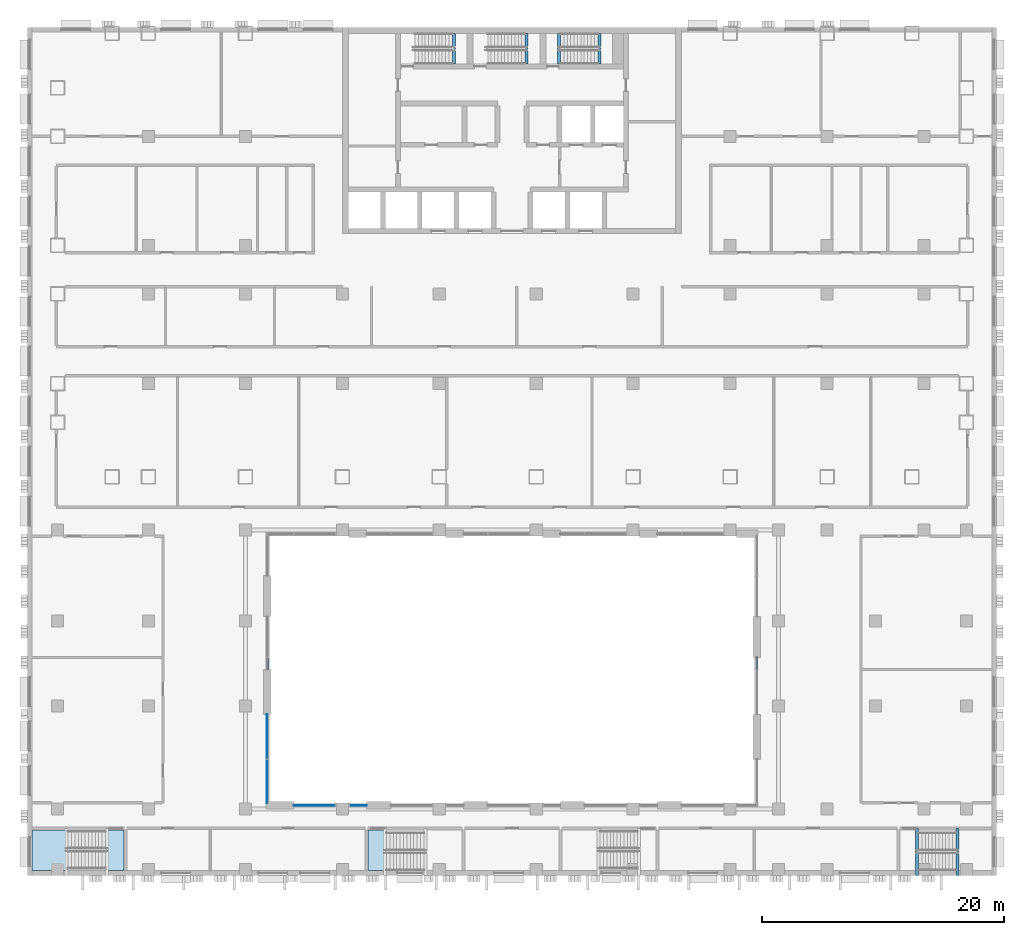
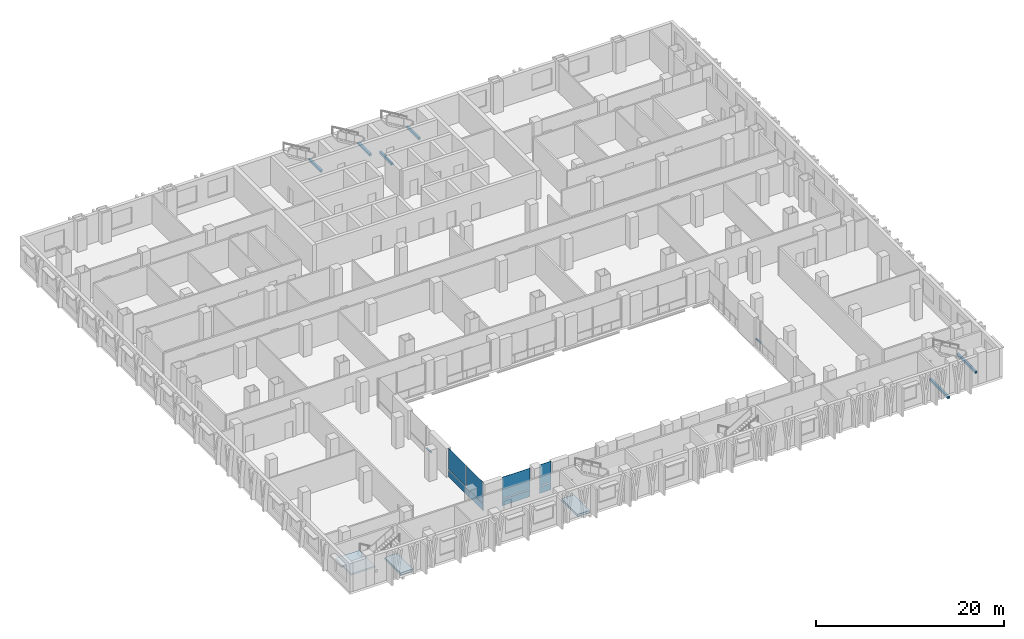
# One storey, part 5 of 26: 8 plates, 6 beams, 3 slabs, 2 members, 6 elements without a shape of their own.
"""IFC4 building model written with IfcOpenShell, lengths in metres."""

from ifc_helpers import new_model, si_unit, direction, frame, origin, origin_2d, place, context, subcontext, project, spatial, polyline, rectangle, outline, extrude, material, layer, layer_set, material_profile, profile_set, type_object, element, aggregate, save


model = new_model("IFC4")

# Units and contexts
model_context = context("Model", 3, precision=1e-05, world=origin(), true_north=direction((0.0, 1.0)))
body_context = subcontext(model_context, "Body", "Model", "MODEL_VIEW")
ifc_project = project(units=[si_unit("LENGTHUNIT", "METRE"), si_unit("AREAUNIT", "SQUARE_METRE"), si_unit("VOLUMEUNIT", "CUBIC_METRE"), si_unit("PLANEANGLEUNIT", "RADIAN"), si_unit("MASSUNIT", "GRAM", prefix="KILO")], contexts=[model_context])

# Site, building, storey
site_placement = place(None, origin())
site = spatial("IfcSite", under=ifc_project, at=site_placement, CompositionType="ELEMENT")
building_placement = place(site_placement, origin())
building = spatial("IfcBuilding", under=site, at=building_placement, Name="Vidyagriha Tower", CompositionType="ELEMENT")
storey_placement = place(building_placement, frame((0.0, 0.0, 6.0)))
storey = spatial("IfcBuildingStorey", under=building, at=storey_placement, Name="L01", CompositionType="ELEMENT", Elevation=6.0)

# Beams
ifc_material_1 = material(Name="Concrete C40/50", Category="concrete")
ifc_material_profile_1 = material_profile(ifc_material_1, rectangle(XDim=0.25, YDim=0.300048828125, at=origin_2d()), Name="Stair landing bearing beam 250x300")
ifc_profile_set_1 = profile_set([ifc_material_profile_1], Name="Concrete C40/50")
beam_type = type_object("IfcBeamType", Name="Stair landing bearing beam 250x300", PredefinedType="BEAM", material=ifc_profile_set_1)
for number, where, z_axis, x_axis, name in (
    (1, (3.875, 16.949951171875, -0.449951171875), (0.0, 1.0, 0.0), (-1.0, 0.0, 0.0), "ST3 floor landing bearing beam L01"),
    (2, (-4.794921875, 16.949951171875, 1.64990234375), (0.0, 1.0, 0.0), (-1.0, 0.0, 0.0), "ST1 landing bearing beam L01"),
    (3, (1.205078125, 16.949951171875, 1.64990234375), (0.0, 1.0, 0.0), (-1.0, 0.0, 0.0), "ST2 landing bearing beam L01"),
    (4, (7.205078125, 16.949951171875, 1.64990234375), (0.0, 1.0, 0.0), (-1.0, 0.0, 0.0), "ST3 landing bearing beam L01"),
):
    element("IfcBeam", number, at=place(storey_placement, frame(where, z_axis=z_axis, x_axis=x_axis)), inside=storey, type_object=beam_type, Name=name, PredefinedType="BEAM", context=body_context, shape_type="SweptSolid", body=[
        extrude(rectangle(XDim=0.25, YDim=0.300048828125, at=origin_2d()), origin(), (0.0, 0.0, 1.0), 2.550048828125),
    ])
for number, where, z_axis, x_axis, name in (
    (5, (33.419921875, -50.0, -0.449951171875), (0.0, 1.0, 0.0), (-1.0, 0.0, 0.0), "PS2 floor landing bearing beam L01"),
    (6, (36.760009765625, -50.0, 1.64990234375), (0.0, 1.0, 0.0), (-1.0, 0.0, 0.0), "PS2 landing bearing beam L01"),
):
    element("IfcBeam", number, at=place(storey_placement, frame(where, z_axis=z_axis, x_axis=x_axis)), inside=storey, type_object=beam_type, Name=name, PredefinedType="BEAM", context=body_context, shape_type="SweptSolid", body=[
        extrude(rectangle(XDim=0.25, YDim=0.300048828125, at=origin_2d()), origin(), (0.0, 0.0, 1.0), 3.89990234375),
    ])

# Curtain wall, member
ifc_material_2 = material(Name="Aluminium and glass curtain wall", Category="aluminium")
curtain_wall_type = type_object("IfcCurtainWallType", Name="Atrium screen curtain wall", PredefinedType="USERDEFINED", material=ifc_material_2)
curtain_wall_1_placement = place(storey_placement, origin())
curtain_wall_1 = element("IfcCurtainWall", 7, at=curtain_wall_1_placement, inside=storey, type_object=curtain_wall_type, Name="CW6 atrium screen", ObjectType="UNITISED", PredefinedType="USERDEFINED")
ifc_material_3 = material(Name="Aluminium black anodised", Category="aluminium")
ifc_material_profile_2 = material_profile(ifc_material_3, rectangle(XDim=0.159912109375, YDim=0.10009765625, at=origin_2d()), Name="Transom 100x160 black aluminium")
ifc_profile_set_2 = profile_set([ifc_material_profile_2], Name="Aluminium black anodised")
member_type = type_object("IfcMemberType", Name="Transom 100x160 black aluminium", PredefinedType="USERDEFINED", material=ifc_profile_set_2)
member_1_placement = place(storey_placement, frame((-20.199951171875, -33.0, 0.89990234375), z_axis=(0.0, 1.0, 0.0), x_axis=(-1.0, 0.0, 0.0)))
member_1 = element("IfcMember", 8, at=member_1_placement, type_object=member_type, Name="CW6 transom 1.1", ObjectType="TRANSOM", PredefinedType="USERDEFINED", context=body_context, shape_type="SweptSolid", body=[
    extrude(rectangle(XDim=0.159912109375, YDim=0.10009765625, at=origin_2d()), origin(), (0.0, 0.0, 1.0), 0.965087890625),
])
aggregate(curtain_wall_1, [member_1])

curtain_wall_2_placement = place(storey_placement, origin())
curtain_wall_2 = element("IfcCurtainWall", 9, at=curtain_wall_2_placement, inside=storey, type_object=curtain_wall_type, Name="CW6 atrium screen", ObjectType="UNITISED", PredefinedType="USERDEFINED")
member_2_placement = place(storey_placement, frame((20.199951171875, -32.0, 0.89990234375), z_axis=(0.0, -1.0, 0.0), x_axis=(1.0, 0.0, 0.0)))
member_2 = element("IfcMember", 10, at=member_2_placement, type_object=member_type, Name="CW6 transom 1.1", ObjectType="TRANSOM", PredefinedType="USERDEFINED", context=body_context, shape_type="SweptSolid", body=[
    extrude(rectangle(XDim=0.159912109375, YDim=0.10009765625, at=origin_2d()), origin(), (0.0, 0.0, 1.0), 0.965087890625),
])
aggregate(curtain_wall_2, [member_2])

# Curtain wall, plate
curtain_wall_3_placement = place(storey_placement, origin())
curtain_wall_3 = element("IfcCurtainWall", 11, at=curtain_wall_3_placement, inside=storey, type_object=curtain_wall_type, Name="CW6 atrium screen", ObjectType="UNITISED", PredefinedType="USERDEFINED")
ifc_material_4 = material(Name="Glass dark ceramic-fritted spandrel", Category="glass")
ifc_layer_1 = layer(ifc_material_4, 0.0400390625)
ifc_layer_set_1 = layer_set([ifc_layer_1], Name="Glass dark ceramic-fritted spandrel")
plate_type_1 = type_object("IfcPlateType", Name="Ceramic-fritted spandrel panel", PredefinedType="CURTAIN_PANEL", material=ifc_layer_set_1)
plate_1_placement = place(storey_placement, frame((-12.699951171875, -44.199951171875, 0.0), z_axis=(0.0, 0.0, 1.0), x_axis=(-1.0, 0.0, 0.0)))
plate_1 = element("IfcPlate", 12, at=plate_1_placement, type_object=plate_type_1, Name="CW6 panel 1.1", PredefinedType="CURTAIN_PANEL", context=body_context, shape_type="SweptSolid", body=[
    extrude(rectangle(XDim=1.39990234375, YDim=0.0400390625, at=origin_2d()), origin(), (0.0, 0.0, 1.0), 0.85009765625),
])

curtain_wall_4_placement = place(storey_placement, origin())
curtain_wall_4 = element("IfcCurtainWall", 13, at=curtain_wall_4_placement, inside=storey, type_object=curtain_wall_type, Name="CW6 atrium screen", ObjectType="UNITISED", PredefinedType="USERDEFINED")
plate_2_placement = place(storey_placement, frame((-16.300048828125, -44.199951171875, 0.0), z_axis=(0.0, 0.0, 1.0), x_axis=(-1.0, 0.0, 0.0)))
plate_2 = element("IfcPlate", 14, at=plate_2_placement, type_object=plate_type_1, Name="CW6 panel 1.1", PredefinedType="CURTAIN_PANEL", context=body_context, shape_type="SweptSolid", body=[
    extrude(rectangle(XDim=3.39990234375, YDim=0.0400390625, at=origin_2d()), origin(), (0.0, 0.0, 1.0), 0.85009765625),
])

# Curtain wall, plates
curtain_wall_5_placement = place(storey_placement, origin())
curtain_wall_5 = element("IfcCurtainWall", 15, at=curtain_wall_5_placement, inside=storey, type_object=curtain_wall_type, Name="CW6 atrium screen", ObjectType="UNITISED", PredefinedType="USERDEFINED")
plate_3_placement = place(storey_placement, frame((-20.199951171875, -42.249267578125, 0.0), z_axis=(0.0, 0.0, 1.0), x_axis=(0.0, 1.0, 0.0)))
plate_3 = element("IfcPlate", 16, at=plate_3_placement, type_object=plate_type_1, Name="CW6 panel 1.1", PredefinedType="CURTAIN_PANEL", context=body_context, shape_type="SweptSolid", body=[
    extrude(rectangle(XDim=3.601806640625, YDim=0.0400390625, at=origin_2d()), origin(), (0.0, 0.0, 1.0), 0.85009765625),
])
plate_4_placement = place(storey_placement, frame((-20.199951171875, -38.54248046875, 0.0), z_axis=(0.0, 0.0, 1.0), x_axis=(0.0, 1.0, 0.0)))
plate_4 = element("IfcPlate", 17, at=plate_4_placement, type_object=plate_type_1, Name="CW6 panel 2.1", PredefinedType="CURTAIN_PANEL", context=body_context, shape_type="SweptSolid", body=[
    extrude(rectangle(XDim=3.671630859375, YDim=0.0400390625, at=origin_2d()), origin(), (0.0, 0.0, 1.0), 0.85009765625),
])

# Plate
ifc_material_5 = material(Name="Glass dark ceramic-fritted", Category="glass")
ifc_layer_2 = layer(ifc_material_5, 0.028076171875)
ifc_layer_set_2 = layer_set([ifc_layer_2], Name="Glass dark ceramic-fritted")
plate_type_2 = type_object("IfcPlateType", Name="Dark ceramic-fritted vision glass panel", PredefinedType="CURTAIN_PANEL", material=ifc_layer_set_2)
plate_5_placement = place(storey_placement, frame((-12.699951171875, -44.199951171875, 0.949951171875), z_axis=(0.0, 0.0, 1.0), x_axis=(-1.0, 0.0, 0.0)))
plate_5 = element("IfcPlate", 18, at=plate_5_placement, type_object=plate_type_2, Name="CW6 panel 1.2", PredefinedType="CURTAIN_PANEL", context=body_context, shape_type="SweptSolid", body=[
    extrude(rectangle(XDim=1.39990234375, YDim=0.028076171875, at=origin_2d()), origin(), (0.0, 0.0, 1.0), 2.75),
])

aggregate(curtain_wall_3, [plate_1, plate_5])

plate_6_placement = place(storey_placement, frame((-16.300048828125, -44.199951171875, 0.949951171875), z_axis=(0.0, 0.0, 1.0), x_axis=(-1.0, 0.0, 0.0)))
plate_6 = element("IfcPlate", 19, at=plate_6_placement, type_object=plate_type_2, Name="CW6 panel 1.2", PredefinedType="CURTAIN_PANEL", context=body_context, shape_type="SweptSolid", body=[
    extrude(rectangle(XDim=3.39990234375, YDim=0.028076171875, at=origin_2d()), origin(), (0.0, 0.0, 1.0), 2.75),
])

aggregate(curtain_wall_4, [plate_2, plate_6])

plate_7_placement = place(storey_placement, frame((-20.199951171875, -42.249267578125, 0.949951171875), z_axis=(0.0, 0.0, 1.0), x_axis=(0.0, 1.0, 0.0)))
plate_7 = element("IfcPlate", 20, at=plate_7_placement, type_object=plate_type_2, Name="CW6 panel 1.2", PredefinedType="CURTAIN_PANEL", context=body_context, shape_type="SweptSolid", body=[
    extrude(rectangle(XDim=3.601806640625, YDim=0.028076171875, at=origin_2d()), origin(), (0.0, 0.0, 1.0), 2.75),
])

plate_8_placement = place(storey_placement, frame((-20.199951171875, -38.54248046875, 0.949951171875), z_axis=(0.0, 0.0, 1.0), x_axis=(0.0, 1.0, 0.0)))
plate_8 = element("IfcPlate", 21, at=plate_8_placement, type_object=plate_type_2, Name="CW6 panel 2.2", PredefinedType="CURTAIN_PANEL", context=body_context, shape_type="SweptSolid", body=[
    extrude(rectangle(XDim=3.671630859375, YDim=0.028076171875, at=origin_2d()), origin(), (0.0, 0.0, 1.0), 2.75),
])

aggregate(curtain_wall_5, [plate_3, plate_7, plate_4, plate_8])

# Stair, slab
ifc_material_6 = material(Name="Concrete C32/40", Category="concrete")
stair_type = type_object("IfcStairType", Name="Podium Exit Stair 1500", PredefinedType="HALF_TURN_STAIR", material=ifc_material_6)
stair_placement = place(storey_placement, origin())
stair = element("IfcStair", 22, at=stair_placement, inside=storey, type_object=stair_type, Name="L01 Exit Stair PS1", PredefinedType="HALF_TURN_STAIR")
ifc_material_7 = material(Name="Concrete C32/40", Category="concrete")
ifc_layer_3 = layer(ifc_material_7, 0.199951171875)
ifc_layer_set_3 = layer_set([ifc_layer_3], Name="Concrete C32/40")
slab_type_1 = type_object("IfcSlabType", Name="Podium Stair Landing 200", PredefinedType="LANDING", material=ifc_layer_set_3)
slab_1_placement = place(storey_placement, frame((0.0, 0.0, 1.800048828125)))
slab_1 = element("IfcSlab", 23, at=slab_1_placement, type_object=slab_type_1, Name="PS1 landing 1", PredefinedType="LANDING", context=body_context, shape_type="SweptSolid", body=[
    extrude(outline(polyline([(-36.625, -46.22509765625), (-39.60009765625, -46.22509765625), (-39.60009765625, -49.60009765625), (-36.625, -49.60009765625), (-36.625, -46.22509765625)])), origin(), (0.0, 0.0, 1.0), 0.199951171875),
])
aggregate(stair, [slab_1])

# Slabs
ifc_material_8 = material(Name="Concrete C32/40", Category="concrete")
ifc_layer_4 = layer(ifc_material_8, 0.300048828125)
ifc_layer_set_4 = layer_set([ifc_layer_4], Name="Concrete C32/40")
slab_type_2 = type_object("IfcSlabType", Name="Podium stair floor landing 300 mm", PredefinedType="LANDING", material=ifc_layer_set_4)
slab_2_placement = place(storey_placement, frame((0.0, 0.0, -0.300048828125)))
element("IfcSlab", 24, at=slab_2_placement, inside=storey, type_object=slab_type_2, Name="PS1 floor landing L01", PredefinedType="LANDING", context=body_context, shape_type="SweptSolid", body=[
    extrude(outline(polyline([(-33.544921875, -49.60009765625), (-32.02490234375, -49.60009765625), (-32.02490234375, -46.22509765625), (-33.544921875, -46.22509765625), (-33.544921875, -49.60009765625)])), origin(), (0.0, 0.0, 1.0), 0.300048828125),
])
slab_3_placement = place(storey_placement, frame((0.0, 0.0, -0.300048828125)))
element("IfcSlab", 25, at=slab_3_placement, inside=storey, type_object=slab_type_2, Name="PS3 floor landing L01", PredefinedType="LANDING", context=body_context, shape_type="SweptSolid", body=[
    extrude(outline(polyline([(-11.875, -49.60009765625), (-10.35498046875, -49.60009765625), (-10.35498046875, -46.22509765625), (-11.875, -46.22509765625), (-11.875, -49.60009765625)])), origin(), (0.0, 0.0, 1.0), 0.300048828125),
])

save(model, "model.ifc")
